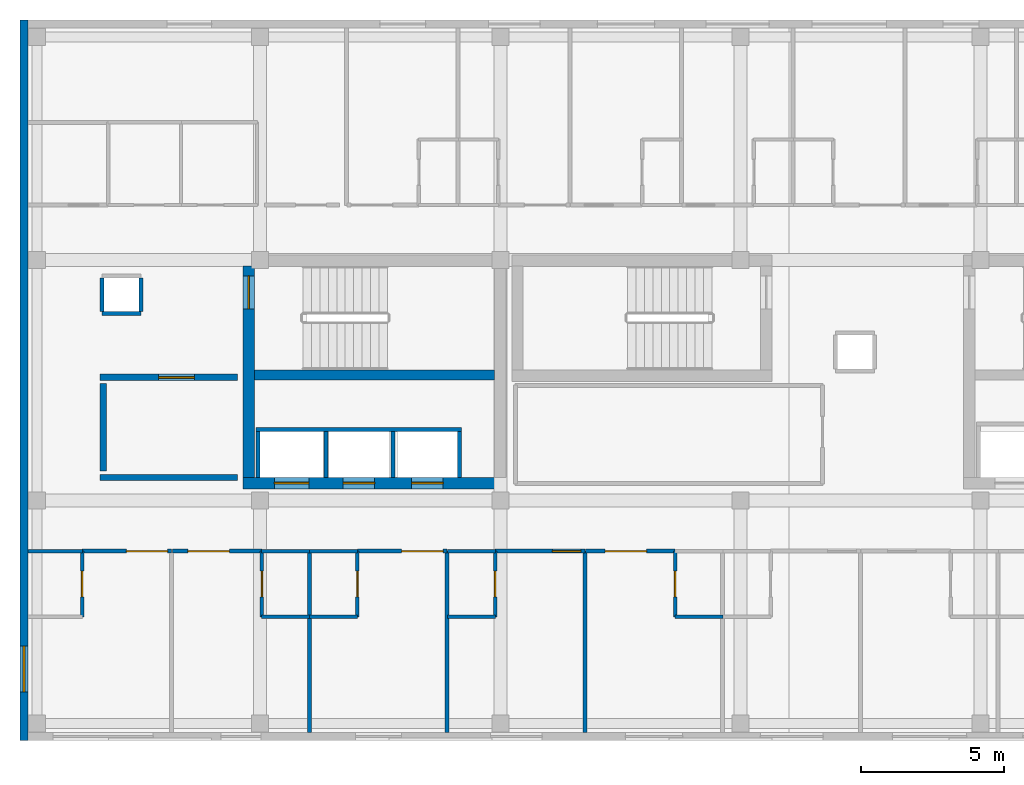
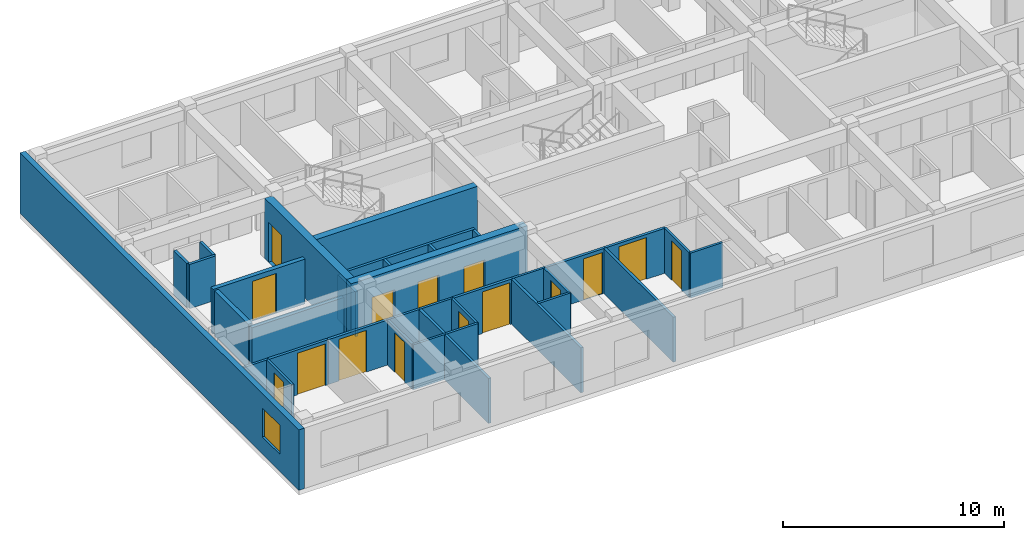
# One storey, part 2 of 9: 36 walls, 15 doors, 1 window, 16 openings.
"""IFC4 building model written with IfcOpenShell, lengths in metres."""

from ifc_helpers import new_model, si_unit, direction, frame, frame_2d, origin, place, context, subcontext, project, spatial, rectangle, extrude, material, layer, layer_set, type_object, element, fill, save


model = new_model("IFC4")

# Units and contexts
model_context = context("Model", 3, precision=1e-05, world=origin(), true_north=direction((0.0, 1.0)))
body_context = subcontext(model_context, "Body", "Model", "MODEL_VIEW")
ifc_project = project(units=[si_unit("LENGTHUNIT", "METRE"), si_unit("AREAUNIT", "SQUARE_METRE"), si_unit("VOLUMEUNIT", "CUBIC_METRE"), si_unit("PLANEANGLEUNIT", "RADIAN"), si_unit("MASSUNIT", "GRAM", prefix="KILO")], contexts=[model_context])

# Site, building, storey
site_placement = place(None, origin())
site = spatial("IfcSite", under=ifc_project, at=site_placement, CompositionType="ELEMENT")
building_placement = place(site_placement, origin())
building = spatial("IfcBuilding", under=site, at=building_placement, Name="Zayran Congress Hotel", CompositionType="ELEMENT")
storey_placement = place(building_placement, frame((0.0, 0.0, 37.199951171875)))
storey = spatial("IfcBuildingStorey", under=building, at=storey_placement, Name="L09", CompositionType="ELEMENT", Elevation=37.199951171875)

# Wall, opening, window
ifc_material_1 = material(Name="Hajar Ma'ani limestone cavity wall and concrete C32/40", Category="masonry")
ifc_layer_1 = layer(ifc_material_1, 0.280029296875)
ifc_layer_set_1 = layer_set([ifc_layer_1], Name="Hajar Ma'ani limestone cavity wall and concrete C32/40")
wall_type_1 = type_object("IfcWallType", Name="WL-EX-280", PredefinedType="SOLIDWALL", material=ifc_layer_set_1)
wall_1_placement = place(storey_placement, frame((16.93994140625, 8.800048828125, 0.0), z_axis=(0.0, 0.0, 1.0), x_axis=(0.0, 1.0, 0.0)))
wall_1 = element("IfcWall", 1, at=wall_1_placement, inside=storey, type_object=wall_type_1, Name="EW-V5-W-L09", PredefinedType="SOLIDWALL", context=body_context, shape_type="SweptSolid", body=[
    extrude(rectangle(XDim=25.199951171875, YDim=0.280029296875, at=frame_2d((12.60009765625, 0.0))), origin(), (0.0, 0.0, 1.0), 3.340087890625),
])
opening_1_placement = place(wall_1_placement, frame((1.699951171875, 0.0, 0.949951171875)))
opening_1 = element("IfcOpeningElement", 2, at=opening_1_placement, cuts=wall_1, Name="Opening WN-15", PredefinedType="OPENING", context=body_context, shape_type="SweptSolid", body=[
    extrude(rectangle(XDim=1.60009765625, YDim=1.60009765625, at=frame_2d((0.800048828125, 0.800048828125))), frame((0.0, 0.14990234375, 0.0), z_axis=(0.0, -1.0, 0.0), x_axis=(1.0, 0.0, 0.0)), (0.0, 0.0, 1.0), 0.300048828125),
])
ifc_material_2 = material(Name="Anodised aluminium and low-E insulated glass", Category="aluminium")
window_type = type_object("IfcWindowType", Name="TP-WN-15", PartitioningType="SINGLE_PANEL", PredefinedType="WINDOW", material=ifc_material_2)
window_placement = place(opening_1_placement, origin())
window = element("IfcWindow", 3, at=window_placement, inside=storey, type_object=window_type, Name="WIN-V5W-L09", OverallHeight=1.60009765625, OverallWidth=1.60009765625, PartitioningType="SINGLE_PANEL", PredefinedType="WINDOW", context=body_context, shape_type="SweptSolid", body=[
    extrude(rectangle(XDim=1.60009765625, YDim=1.60009765625, at=frame_2d((0.800048828125, 0.800048828125))), frame((0.0, 0.030029296875, 0.0), z_axis=(0.0, -1.0, 0.0), x_axis=(1.0, 0.0, 0.0)), (0.0, 0.0, 1.0), 0.06005859375),
])
fill(opening_1, window)

# Wall, openings, doors
ifc_material_3 = material(Name="Concrete C40/50", Category="concrete")
ifc_layer_2 = layer(ifc_material_3, 0.39990234375)
ifc_layer_set_2 = layer_set([ifc_layer_2], Name="Concrete C40/50")
wall_type_2 = type_object("IfcWallType", Name="WL-SH-400", PredefinedType="SHEAR", material=ifc_layer_set_2)
wall_2_placement = place(storey_placement, frame((24.60009765625, 17.800048828125, 0.0), z_axis=(0.0, 0.0, 1.0), x_axis=(1.0, 0.0, 0.0)))
wall_2 = element("IfcWall", 4, at=wall_2_placement, inside=storey, type_object=wall_type_2, Name="CWALL-C-V5W-L09-S", PredefinedType="SHEAR", context=body_context, shape_type="SweptSolid", body=[
    extrude(rectangle(XDim=9.199951171875, YDim=0.39990234375, at=frame_2d((4.60009765625, 0.0))), origin(), (0.0, 0.0, 1.0), 3.320068359375),
])
opening_2_placement = place(wall_2_placement, frame((1.10009765625, 0.0, 0.0)))
opening_2 = element("IfcOpeningElement", 5, at=opening_2_placement, cuts=wall_2, Name="Opening LD-FL01", PredefinedType="OPENING", context=body_context, shape_type="SweptSolid", body=[
    extrude(rectangle(XDim=1.199951171875, YDim=2.199951171875, at=frame_2d((0.60009765625, 1.10009765625))), frame((0.0, 0.2099609375, 0.0), z_axis=(0.0, -1.0, 0.0), x_axis=(1.0, 0.0, 0.0)), (0.0, 0.0, 1.0), 0.419921875),
])
opening_3_placement = place(wall_2_placement, frame((3.5, 0.0, 0.0)))
opening_3 = element("IfcOpeningElement", 6, at=opening_3_placement, cuts=wall_2, Name="Opening LD-PL01", PredefinedType="OPENING", context=body_context, shape_type="SweptSolid", body=[
    extrude(rectangle(XDim=1.10009765625, YDim=2.199951171875, at=frame_2d((0.550048828125, 1.10009765625))), frame((0.0, 0.2099609375, 0.0), z_axis=(0.0, -1.0, 0.0), x_axis=(1.0, 0.0, 0.0)), (0.0, 0.0, 1.0), 0.419921875),
])
opening_4_placement = place(wall_2_placement, frame((5.89990234375, 0.0, 0.0)))
opening_4 = element("IfcOpeningElement", 7, at=opening_4_placement, cuts=wall_2, Name="Opening LD-PL02", PredefinedType="OPENING", context=body_context, shape_type="SweptSolid", body=[
    extrude(rectangle(XDim=1.10009765625, YDim=2.199951171875, at=frame_2d((0.550048828125, 1.10009765625))), frame((0.0, 0.2099609375, 0.0), z_axis=(0.0, -1.0, 0.0), x_axis=(1.0, 0.0, 0.0)), (0.0, 0.0, 1.0), 0.419921875),
])
ifc_material_4 = material(Name="Brushed stainless steel sliding lift landing door", Category="steel")
door_type_1 = type_object("IfcDoorType", Name="TP-DR-LD-01", OperationType="DOUBLE_DOOR_SLIDING", PredefinedType="DOOR", material=ifc_material_4)
door_1_placement = place(opening_3_placement, origin())
door_1 = element("IfcDoor", 8, at=door_1_placement, inside=storey, type_object=door_type_1, Name="Lift PL-01 Sliding Landing Door L09", OperationType="DOUBLE_DOOR_SLIDING", OverallHeight=2.199951171875, OverallWidth=1.10009765625, PredefinedType="DOOR", context=body_context, shape_type="SweptSolid", body=[
    extrude(rectangle(XDim=1.10009765625, YDim=2.199951171875, at=frame_2d((0.550048828125, 1.10009765625))), frame((0.0, 0.02490234375, 0.0), z_axis=(0.0, -1.0, 0.0), x_axis=(1.0, 0.0, 0.0)), (0.0, 0.0, 1.0), 0.050048828125),
])
fill(opening_3, door_1)
door_2_placement = place(opening_4_placement, origin())
door_2 = element("IfcDoor", 9, at=door_2_placement, inside=storey, type_object=door_type_1, Name="Lift PL-02 Sliding Landing Door L09", OperationType="DOUBLE_DOOR_SLIDING", OverallHeight=2.199951171875, OverallWidth=1.10009765625, PredefinedType="DOOR", context=body_context, shape_type="SweptSolid", body=[
    extrude(rectangle(XDim=1.10009765625, YDim=2.199951171875, at=frame_2d((0.550048828125, 1.10009765625))), frame((0.0, 0.02490234375, 0.0), z_axis=(0.0, -1.0, 0.0), x_axis=(1.0, 0.0, 0.0)), (0.0, 0.0, 1.0), 0.050048828125),
])
fill(opening_4, door_2)
ifc_material_5 = material(Name="Brushed stainless steel firefighting lift landing door", Category="steel")
door_type_2 = type_object("IfcDoorType", Name="TP-DR-LD-02", OperationType="DOUBLE_DOOR_SLIDING", PredefinedType="DOOR", material=ifc_material_5)
door_3_placement = place(opening_2_placement, origin())
door_3 = element("IfcDoor", 10, at=door_3_placement, inside=storey, type_object=door_type_2, Name="Lift FL-01 Sliding Landing Door L09", OperationType="DOUBLE_DOOR_SLIDING", OverallHeight=2.199951171875, OverallWidth=1.199951171875, PredefinedType="DOOR", context=body_context, shape_type="SweptSolid", body=[
    extrude(rectangle(XDim=1.199951171875, YDim=2.199951171875, at=frame_2d((0.60009765625, 1.10009765625))), frame((0.0, 0.02490234375, 0.0), z_axis=(0.0, -1.0, 0.0), x_axis=(1.0, 0.0, 0.0)), (0.0, 0.0, 1.0), 0.050048828125),
])
fill(opening_2, door_3)

# Wall, opening, door
wall_3_placement = place(storey_placement, frame((24.800048828125, 25.39990234375, 0.0), z_axis=(0.0, 0.0, 1.0), x_axis=(0.0, -1.0, 0.0)))
wall_3 = element("IfcWall", 11, at=wall_3_placement, inside=storey, type_object=wall_type_2, Name="CWALL-C-V5W-L09-W", PredefinedType="SHEAR", context=body_context, shape_type="SweptSolid", body=[
    extrude(rectangle(XDim=7.39990234375, YDim=0.39990234375, at=frame_2d((3.699951171875, 0.0))), origin(), (0.0, 0.0, 1.0), 3.320068359375),
])
opening_5_placement = place(wall_3_placement, frame((0.35009765625, 0.0, 0.0)))
opening_5 = element("IfcOpeningElement", 12, at=opening_5_placement, cuts=wall_3, Name="Opening DR-FD-90", PredefinedType="OPENING", context=body_context, shape_type="SweptSolid", body=[
    extrude(rectangle(XDim=1.14990234375, YDim=2.199951171875, at=frame_2d((0.574951171875, 1.10009765625))), frame((0.0, 0.2099609375, 0.0), z_axis=(0.0, -1.0, 0.0), x_axis=(1.0, 0.0, 0.0)), (0.0, 0.0, 1.0), 0.419921875),
])
ifc_material_6 = material(Name="Painted steel fire door assembly", Category="steel")
door_type_3 = type_object("IfcDoorType", Name="TP-DR-FD-90", OperationType="NOTDEFINED", PredefinedType="DOOR", material=ifc_material_6)
door_4_placement = place(opening_5_placement, origin())
door_4 = element("IfcDoor", 13, at=door_4_placement, inside=storey, type_object=door_type_3, Name="ST-01 Exit Stair Door L09", OperationType="SINGLE_SWING_LEFT", OverallHeight=2.199951171875, OverallWidth=1.14990234375, PredefinedType="DOOR", context=body_context, shape_type="SweptSolid", body=[
    extrude(rectangle(XDim=1.14990234375, YDim=2.199951171875, at=frame_2d((0.574951171875, 1.10009765625))), frame((0.0, 0.02490234375, 0.0), z_axis=(0.0, -1.0, 0.0), x_axis=(1.0, 0.0, 0.0)), (0.0, 0.0, 1.0), 0.050048828125),
])
fill(opening_5, door_4)

# Walls
ifc_layer_3 = layer(ifc_material_3, 0.35009765625)
ifc_layer_set_3 = layer_set([ifc_layer_3], Name="Concrete C40/50")
wall_type_3 = type_object("IfcWallType", Name="WL-SH-350", PredefinedType="SHEAR", material=ifc_layer_set_3)
wall_4_placement = place(storey_placement, frame((25.0, 21.5849609375, 0.0), z_axis=(0.0, 0.0, 1.0), x_axis=(1.0, 0.0, 0.0)))
element("IfcWall", 14, at=wall_4_placement, inside=storey, type_object=wall_type_3, Name="CWALL-C-V5W-L09-SPN", PredefinedType="SHEAR", context=body_context, shape_type="SweptSolid", body=[
    extrude(rectangle(XDim=8.39990234375, YDim=0.35009765625, at=frame_2d((4.199951171875, 0.0))), origin(), (0.0, 0.0, 1.0), 3.320068359375),
])
ifc_material_7 = material(Name="Concrete C32/40 fire wall", Category="concrete")
ifc_layer_4 = layer(ifc_material_7, 0.219970703125)
ifc_layer_set_4 = layer_set([ifc_layer_4], Name="Concrete C32/40 fire wall")
wall_type_4 = type_object("IfcWallType", Name="WL-FF-220", PredefinedType="SOLIDWALL", material=ifc_layer_set_4)
wall_5_placement = place(storey_placement, frame((19.60009765625, 18.0, 0.0), z_axis=(0.0, 0.0, 1.0), x_axis=(1.0, 0.0, 0.0)))
element("IfcWall", 15, at=wall_5_placement, inside=storey, type_object=wall_type_4, Name="FFWL-C-V5W-L09-S", PredefinedType="SOLIDWALL", context=body_context, shape_type="SweptSolid", body=[
    extrude(rectangle(XDim=4.7998046875, YDim=0.219970703125, at=frame_2d((2.39990234375, 0.0))), origin(), (0.0, 0.0, 1.0), 2.469970703125),
])

# Wall, opening, door
wall_6_placement = place(storey_placement, frame((19.60009765625, 21.5, 0.0), z_axis=(0.0, 0.0, 1.0), x_axis=(1.0, 0.0, 0.0)))
wall_6 = element("IfcWall", 16, at=wall_6_placement, inside=storey, type_object=wall_type_4, Name="FFWL-C-V5W-L09-N", PredefinedType="SOLIDWALL", context=body_context, shape_type="SweptSolid", body=[
    extrude(rectangle(XDim=4.7998046875, YDim=0.219970703125, at=frame_2d((2.39990234375, 0.0))), origin(), (0.0, 0.0, 1.0), 2.469970703125),
])
opening_6_placement = place(wall_6_placement, frame((2.050048828125, 0.0, 0.0)))
opening_6 = element("IfcOpeningElement", 17, at=opening_6_placement, cuts=wall_6, Name="Opening DR-FF-60", PredefinedType="OPENING", context=body_context, shape_type="SweptSolid", body=[
    extrude(rectangle(XDim=1.25, YDim=2.199951171875, at=frame_2d((0.625, 1.10009765625))), frame((0.0, 0.119873046875, 0.0), z_axis=(0.0, -1.0, 0.0), x_axis=(1.0, 0.0, 0.0)), (0.0, 0.0, 1.0), 0.239990234375),
])
ifc_material_8 = material(Name="Painted steel smoke-seal fire door", Category="steel")
door_type_4 = type_object("IfcDoorType", Name="TP-DR-FF-60", OperationType="NOTDEFINED", PredefinedType="DOOR", material=ifc_material_8)
door_5_placement = place(opening_6_placement, origin())
door_5 = element("IfcDoor", 18, at=door_5_placement, inside=storey, type_object=door_type_4, Name="Firefighting Lift Lobby Door C-V5W L09", OperationType="SINGLE_SWING_RIGHT", OverallHeight=2.199951171875, OverallWidth=1.25, PredefinedType="DOOR", context=body_context, shape_type="SweptSolid", body=[
    extrude(rectangle(XDim=1.25, YDim=2.199951171875, at=frame_2d((0.625, 1.10009765625))), frame((0.0, 0.02490234375, 0.0), z_axis=(0.0, -1.0, 0.0), x_axis=(1.0, 0.0, 0.0)), (0.0, 0.0, 1.0), 0.050048828125),
])
fill(opening_6, door_5)

# Walls
wall_7_placement = place(storey_placement, frame((19.7099609375, 18.219970703125, 0.0), z_axis=(0.0, 0.0, 1.0), x_axis=(0.0, 1.0, 0.0)))
element("IfcWall", 19, at=wall_7_placement, inside=storey, type_object=wall_type_4, Name="FFWL-C-V5W-L09-SD", PredefinedType="SOLIDWALL", context=body_context, shape_type="SweptSolid", body=[
    extrude(rectangle(XDim=3.06005859375, YDim=0.219970703125, at=frame_2d((1.530029296875, 0.0))), origin(), (0.0, 0.0, 1.0), 2.469970703125),
])
ifc_material_9 = material(Name="Hospitality guestroom acoustic partition", Category="gypsum")
ifc_layer_5 = layer(ifc_material_9, 0.139892578125)
ifc_layer_set_5 = layer_set([ifc_layer_5], Name="Hospitality guestroom acoustic partition")
wall_type_5 = type_object("IfcWallType", Name="WL-PT-140", PredefinedType="PARTITIONING", material=ifc_layer_set_5)
for number, where, z_axis, x_axis, name in (
    (20, (25.1298828125, 18.0, 0.0), (0.0, 0.0, 1.0), (0.0, 1.0, 0.0), "LSHW-C-V5W-L09-W"),
    (21, (27.5, 18.0, 0.0), (0.0, 0.0, 1.0), (0.0, 1.0, 0.0), "LSHW-C-V5W-L09-DIV1"),
    (22, (29.85009765625, 18.0, 0.0), (0.0, 0.0, 1.0), (0.0, 1.0, 0.0), "LSHW-C-V5W-L09-DIV2"),
    (23, (32.169921875, 18.0, 0.0), (0.0, 0.0, 1.0), (0.0, 1.0, 0.0), "LSHW-C-V5W-L09-E"),
):
    element("IfcWall", number, at=place(storey_placement, frame(where, z_axis=z_axis, x_axis=x_axis)), inside=storey, type_object=wall_type_5, Name=name, PredefinedType="PARTITIONING", context=body_context, shape_type="SweptSolid", body=[
        extrude(rectangle(XDim=1.60009765625, YDim=0.139892578125, at=frame_2d((0.800048828125, 0.0))), origin(), (0.0, 0.0, 1.0), 2.469970703125),
    ])
wall_8_placement = place(storey_placement, frame((25.06005859375, 19.669921875, 0.0), z_axis=(0.0, 0.0, 1.0), x_axis=(1.0, 0.0, 0.0)))
element("IfcWall", 24, at=wall_8_placement, inside=storey, type_object=wall_type_5, Name="LSHW-C-V5W-L09-N", PredefinedType="PARTITIONING", context=body_context, shape_type="SweptSolid", body=[
    extrude(rectangle(XDim=7.179931640625, YDim=0.139892578125, at=frame_2d((3.58984375, 0.0))), origin(), (0.0, 0.0, 1.0), 2.469970703125),
])

# Wall, opening, door
wall_9_placement = place(storey_placement, frame((18.969970703125, 15.419921875, 0.0), z_axis=(0.0, 0.0, 1.0), x_axis=(1.0, 0.0, 0.0)))
wall_9 = element("IfcWall", 25, at=wall_9_placement, inside=storey, type_object=wall_type_5, Name="IW-L09-0786", PredefinedType="PARTITIONING", context=body_context, shape_type="SweptSolid", body=[
    extrude(rectangle(XDim=3.136962890625, YDim=0.139892578125, at=frame_2d((1.568359375, 0.0))), origin(), (0.0, 0.0, 1.0), 2.47998046875),
])
opening_7_placement = place(wall_9_placement, frame((1.547119140625, 0.0, 0.0)))
opening_7 = element("IfcOpeningElement", 26, at=opening_7_placement, cuts=wall_9, Name="Opening DR-ST-01", PredefinedType="OPENING", context=body_context, shape_type="SweptSolid", body=[
    extrude(rectangle(XDim=1.449951171875, YDim=2.300048828125, at=frame_2d((0.72509765625, 1.14990234375))), frame((0.0, 0.079833984375, 0.0), z_axis=(0.0, -1.0, 0.0), x_axis=(1.0, 0.0, 0.0)), (0.0, 0.0, 1.0), 0.159912109375),
])
ifc_material_10 = material(Name="Double walnut veneer suite entry door", Category="wood")
door_type_5 = type_object("IfcDoorType", Name="TP-DR-ST-01", OperationType="DOUBLE_DOOR_SINGLE_SWING", PredefinedType="DOOR", material=ifc_material_10)
door_6_placement = place(opening_7_placement, origin())
door_6 = element("IfcDoor", 27, at=door_6_placement, inside=storey, type_object=door_type_5, Name="Executive Suite L09-01 Door", OperationType="DOUBLE_DOOR_SINGLE_SWING", OverallHeight=2.300048828125, OverallWidth=1.449951171875, PredefinedType="DOOR", context=body_context, shape_type="SweptSolid", body=[
    extrude(rectangle(XDim=1.449951171875, YDim=2.300048828125, at=frame_2d((0.72509765625, 1.14990234375))), frame((0.0, 0.02490234375, 0.0), z_axis=(0.0, -1.0, 0.0), x_axis=(1.0, 0.0, 0.0)), (0.0, 0.0, 1.0), 0.050048828125),
])
fill(opening_7, door_6)

wall_10_placement = place(storey_placement, frame((22.126953125, 15.419921875, 0.0), z_axis=(0.0, 0.0, 1.0), x_axis=(1.0, 0.0, 0.0)))
wall_10 = element("IfcWall", 28, at=wall_10_placement, inside=storey, type_object=wall_type_5, Name="IW-L09-0787", PredefinedType="PARTITIONING", context=body_context, shape_type="SweptSolid", body=[
    extrude(rectangle(XDim=3.135986328125, YDim=0.139892578125, at=frame_2d((1.56787109375, 0.0))), origin(), (0.0, 0.0, 1.0), 2.47998046875),
])
opening_8_placement = place(wall_10_placement, frame((0.5419921875, 0.0, 0.0)))
opening_8 = element("IfcOpeningElement", 29, at=opening_8_placement, cuts=wall_10, Name="Opening DR-ST-01", PredefinedType="OPENING", context=body_context, shape_type="SweptSolid", body=[
    extrude(rectangle(XDim=1.449951171875, YDim=2.300048828125, at=frame_2d((0.72509765625, 1.14990234375))), frame((0.0, 0.079833984375, 0.0), z_axis=(0.0, -1.0, 0.0), x_axis=(1.0, 0.0, 0.0)), (0.0, 0.0, 1.0), 0.159912109375),
])
door_7_placement = place(opening_8_placement, origin())
door_7 = element("IfcDoor", 30, at=door_7_placement, inside=storey, type_object=door_type_5, Name="Executive Suite L09-02 Door", OperationType="DOUBLE_DOOR_SINGLE_SWING", OverallHeight=2.300048828125, OverallWidth=1.449951171875, PredefinedType="DOOR", context=body_context, shape_type="SweptSolid", body=[
    extrude(rectangle(XDim=1.449951171875, YDim=2.300048828125, at=frame_2d((0.72509765625, 1.14990234375))), frame((0.0, 0.02490234375, 0.0), z_axis=(0.0, -1.0, 0.0), x_axis=(1.0, 0.0, 0.0)), (0.0, 0.0, 1.0), 0.050048828125),
])
fill(opening_8, door_7)

wall_11_placement = place(storey_placement, frame((28.60302734375, 15.419921875, 0.0), z_axis=(0.0, 0.0, 1.0), x_axis=(1.0, 0.0, 0.0)))
wall_11 = element("IfcWall", 31, at=wall_11_placement, inside=storey, type_object=wall_type_5, Name="IW-L09-0788", PredefinedType="PARTITIONING", context=body_context, shape_type="SweptSolid", body=[
    extrude(rectangle(XDim=3.136962890625, YDim=0.139892578125, at=frame_2d((1.568359375, 0.0))), origin(), (0.0, 0.0, 1.0), 2.47998046875),
])
opening_9_placement = place(wall_11_placement, frame((1.547119140625, 0.0, 0.0)))
opening_9 = element("IfcOpeningElement", 32, at=opening_9_placement, cuts=wall_11, Name="Opening DR-ST-01", PredefinedType="OPENING", context=body_context, shape_type="SweptSolid", body=[
    extrude(rectangle(XDim=1.449951171875, YDim=2.300048828125, at=frame_2d((0.72509765625, 1.14990234375))), frame((0.0, 0.079833984375, 0.0), z_axis=(0.0, -1.0, 0.0), x_axis=(1.0, 0.0, 0.0)), (0.0, 0.0, 1.0), 0.159912109375),
])
door_8_placement = place(opening_9_placement, origin())
door_8 = element("IfcDoor", 33, at=door_8_placement, inside=storey, type_object=door_type_5, Name="Executive Suite L09-03 Door", OperationType="DOUBLE_DOOR_SINGLE_SWING", OverallHeight=2.300048828125, OverallWidth=1.449951171875, PredefinedType="DOOR", context=body_context, shape_type="SweptSolid", body=[
    extrude(rectangle(XDim=1.449951171875, YDim=2.300048828125, at=frame_2d((0.72509765625, 1.14990234375))), frame((0.0, 0.02490234375, 0.0), z_axis=(0.0, -1.0, 0.0), x_axis=(1.0, 0.0, 0.0)), (0.0, 0.0, 1.0), 0.050048828125),
])
fill(opening_9, door_8)

wall_12_placement = place(storey_placement, frame((33.419921875, 15.419921875, 0.0), z_axis=(0.0, 0.0, 1.0), x_axis=(1.0, 0.0, 0.0)))
wall_12 = element("IfcWall", 34, at=wall_12_placement, inside=storey, type_object=wall_type_5, Name="IW-L09-0789", PredefinedType="PARTITIONING", context=body_context, shape_type="SweptSolid", body=[
    extrude(rectangle(XDim=3.136962890625, YDim=0.139892578125, at=frame_2d((1.568359375, 0.0))), origin(), (0.0, 0.0, 1.0), 2.47998046875),
])
opening_10_placement = place(wall_12_placement, frame((1.9970703125, 0.0, 0.0)))
opening_10 = element("IfcOpeningElement", 35, at=opening_10_placement, cuts=wall_12, Name="Opening DR-GR-04", PredefinedType="OPENING", context=body_context, shape_type="SweptSolid", body=[
    extrude(rectangle(XDim=1.0, YDim=2.280029296875, at=frame_2d((0.5, 1.14013671875))), frame((0.0, 0.079833984375, 0.0), z_axis=(0.0, -1.0, 0.0), x_axis=(1.0, 0.0, 0.0)), (0.0, 0.0, 1.0), 0.159912109375),
])
ifc_material_11 = material(Name="Diplomatic walnut veneer entry door", Category="wood")
door_type_6 = type_object("IfcDoorType", Name="TP-DR-GR-04", OperationType="NOTDEFINED", PredefinedType="DOOR", material=ifc_material_11)
door_9_placement = place(opening_10_placement, origin())
door_9 = element("IfcDoor", 36, at=door_9_placement, inside=storey, type_object=door_type_6, Name="Guest Room L09-04 Door", OperationType="SINGLE_SWING_LEFT", OverallHeight=2.280029296875, OverallWidth=1.0, PredefinedType="DOOR", context=body_context, shape_type="SweptSolid", body=[
    extrude(rectangle(XDim=1.0, YDim=2.280029296875, at=frame_2d((0.5, 1.14013671875))), frame((0.0, 0.02490234375, 0.0), z_axis=(0.0, -1.0, 0.0), x_axis=(1.0, 0.0, 0.0)), (0.0, 0.0, 1.0), 0.050048828125),
])
fill(opening_10, door_9)

wall_13_placement = place(storey_placement, frame((36.576904296875, 15.419921875, 0.0), z_axis=(0.0, 0.0, 1.0), x_axis=(1.0, 0.0, 0.0)))
wall_13 = element("IfcWall", 37, at=wall_13_placement, inside=storey, type_object=wall_type_5, Name="IW-L09-0790", PredefinedType="PARTITIONING", context=body_context, shape_type="SweptSolid", body=[
    extrude(rectangle(XDim=3.135986328125, YDim=0.139892578125, at=frame_2d((1.56787109375, 0.0))), origin(), (0.0, 0.0, 1.0), 2.47998046875),
])
opening_11_placement = place(wall_13_placement, frame((0.69189453125, 0.0, 0.0)))
opening_11 = element("IfcOpeningElement", 38, at=opening_11_placement, cuts=wall_13, Name="Opening DR-ST-01", PredefinedType="OPENING", context=body_context, shape_type="SweptSolid", body=[
    extrude(rectangle(XDim=1.449951171875, YDim=2.300048828125, at=frame_2d((0.72509765625, 1.14990234375))), frame((0.0, 0.079833984375, 0.0), z_axis=(0.0, -1.0, 0.0), x_axis=(1.0, 0.0, 0.0)), (0.0, 0.0, 1.0), 0.159912109375),
])
door_10_placement = place(opening_11_placement, origin())
door_10 = element("IfcDoor", 39, at=door_10_placement, inside=storey, type_object=door_type_5, Name="Junior Suite L09-05 Door", OperationType="DOUBLE_DOOR_SINGLE_SWING", OverallHeight=2.300048828125, OverallWidth=1.449951171875, PredefinedType="DOOR", context=body_context, shape_type="SweptSolid", body=[
    extrude(rectangle(XDim=1.449951171875, YDim=2.300048828125, at=frame_2d((0.72509765625, 1.14990234375))), frame((0.0, 0.02490234375, 0.0), z_axis=(0.0, -1.0, 0.0), x_axis=(1.0, 0.0, 0.0)), (0.0, 0.0, 1.0), 0.050048828125),
])
fill(opening_11, door_10)

# Walls
for number, where, z_axis, x_axis, name in (
    (40, (26.923095703125, 9.080078125, 0.0), (0.0, 0.0, 1.0), (0.0, 1.0, 0.0), "IW-L09-2123"),
    (41, (31.739990234375, 9.080078125, 0.0), (0.0, 0.0, 1.0), (0.0, 1.0, 0.0), "IW-L09-2124"),
    (42, (36.556884765625, 9.080078125, 0.0), (0.0, 0.0, 1.0), (0.0, 1.0, 0.0), "IW-L09-2125"),
):
    element("IfcWall", number, at=place(storey_placement, frame(where, z_axis=z_axis, x_axis=x_axis)), inside=storey, type_object=wall_type_5, Name=name, PredefinedType="PARTITIONING", context=body_context, shape_type="SweptSolid", body=[
        extrude(rectangle(XDim=6.349853515625, YDim=0.139892578125, at=frame_2d((3.1748046875, 0.0))), origin(), (0.0, 0.0, 1.0), 2.47998046875),
    ])
wall_14_placement = place(storey_placement, frame((19.669921875, 23.72998046875, 0.0), z_axis=(0.0, 0.0, 1.0), x_axis=(1.0, 0.0, 0.0)))
element("IfcWall", 43, at=wall_14_placement, inside=storey, type_object=wall_type_5, Name="RSWL-V5-L09-050-S", PredefinedType="PARTITIONING", context=body_context, shape_type="SweptSolid", body=[
    extrude(rectangle(XDim=1.360107421875, YDim=0.139892578125, at=frame_2d((0.68017578125, 0.0))), origin(), (0.0, 0.0, 1.0), 2.43994140625),
])
for number, where, z_axis, x_axis, name in (
    (44, (19.669921875, 24.97998046875, 0.0), (0.0, 0.0, 1.0), (0.0, -1.0, 0.0), "RSWL-V5-L09-050-W"),
    (45, (21.030029296875, 23.800048828125, 0.0), (0.0, 0.0, 1.0), (0.0, 1.0, 0.0), "RSWL-V5-L09-050-E"),
):
    element("IfcWall", number, at=place(storey_placement, frame(where, z_axis=z_axis, x_axis=x_axis)), inside=storey, type_object=wall_type_5, Name=name, PredefinedType="PARTITIONING", context=body_context, shape_type="SweptSolid", body=[
        extrude(rectangle(XDim=1.179931640625, YDim=0.139892578125, at=frame_2d((0.58984375, 0.0))), origin(), (0.0, 0.0, 1.0), 2.43994140625),
    ])

# Wall, opening, door
ifc_material_12 = material(Name="Moisture-resistant bathroom partition", Category="gypsum")
ifc_layer_6 = layer(ifc_material_12, 0.1201171875)
ifc_layer_set_6 = layer_set([ifc_layer_6], Name="Moisture-resistant bathroom partition")
wall_type_6 = type_object("IfcWallType", Name="WL-PT-120", PredefinedType="PARTITIONING", material=ifc_layer_set_6)
wall_15_placement = place(storey_placement, frame((18.969970703125, 13.1201171875, 0.0), z_axis=(0.0, 0.0, 1.0), x_axis=(0.0, 1.0, 0.0)))
wall_15 = element("IfcWall", 46, at=wall_15_placement, inside=storey, type_object=wall_type_6, Name="IW-L09-0271", PredefinedType="PARTITIONING", context=body_context, shape_type="SweptSolid", body=[
    extrude(rectangle(XDim=2.309814453125, YDim=0.1201171875, at=frame_2d((1.15478515625, 0.0))), origin(), (0.0, 0.0, 1.0), 2.47998046875),
])
opening_12_placement = place(wall_15_placement, frame((0.705078125, 0.0, 0.0)))
opening_12 = element("IfcOpeningElement", 47, at=opening_12_placement, cuts=wall_15, Name="Opening DR-BT-03", PredefinedType="OPENING", context=body_context, shape_type="SweptSolid", body=[
    extrude(rectangle(XDim=0.89990234375, YDim=2.179931640625, at=frame_2d((0.449951171875, 1.08984375))), frame((0.0, 0.070068359375, 0.0), z_axis=(0.0, -1.0, 0.0), x_axis=(1.0, 0.0, 0.0)), (0.0, 0.0, 1.0), 0.14013671875),
])
ifc_material_13 = material(Name="Suite oak en-suite bathroom door", Category="wood")
door_type_7 = type_object("IfcDoorType", Name="TP-DR-BT-03", OperationType="NOTDEFINED", PredefinedType="DOOR", material=ifc_material_13)
door_11_placement = place(opening_12_placement, origin())
door_11 = element("IfcDoor", 48, at=door_11_placement, inside=storey, type_object=door_type_7, Name="En-Suite Bathroom L09-01 Door", OperationType="SINGLE_SWING_RIGHT", OverallHeight=2.179931640625, OverallWidth=0.89990234375, PredefinedType="DOOR", context=body_context, shape_type="SweptSolid", body=[
    extrude(rectangle(XDim=0.89990234375, YDim=2.179931640625, at=frame_2d((0.449951171875, 1.08984375))), frame((0.0, 0.02490234375, 0.0), z_axis=(0.0, -1.0, 0.0), x_axis=(1.0, 0.0, 0.0)), (0.0, 0.0, 1.0), 0.050048828125),
])
fill(opening_12, door_11)

wall_16_placement = place(storey_placement, frame((25.262939453125, 13.1201171875, 0.0), z_axis=(0.0, 0.0, 1.0), x_axis=(0.0, 1.0, 0.0)))
wall_16 = element("IfcWall", 49, at=wall_16_placement, inside=storey, type_object=wall_type_6, Name="IW-L09-0272", PredefinedType="PARTITIONING", context=body_context, shape_type="SweptSolid", body=[
    extrude(rectangle(XDim=2.309814453125, YDim=0.1201171875, at=frame_2d((1.15478515625, 0.0))), origin(), (0.0, 0.0, 1.0), 2.47998046875),
])
opening_13_placement = place(wall_16_placement, frame((0.705078125, 0.0, 0.0)))
opening_13 = element("IfcOpeningElement", 50, at=opening_13_placement, cuts=wall_16, Name="Opening DR-BT-03", PredefinedType="OPENING", context=body_context, shape_type="SweptSolid", body=[
    extrude(rectangle(XDim=0.89990234375, YDim=2.179931640625, at=frame_2d((0.449951171875, 1.08984375))), frame((0.0, 0.070068359375, 0.0), z_axis=(0.0, -1.0, 0.0), x_axis=(1.0, 0.0, 0.0)), (0.0, 0.0, 1.0), 0.14013671875),
])
door_12_placement = place(opening_13_placement, origin())
door_12 = element("IfcDoor", 51, at=door_12_placement, inside=storey, type_object=door_type_7, Name="En-Suite Bathroom L09-02 Door", OperationType="SINGLE_SWING_LEFT", OverallHeight=2.179931640625, OverallWidth=0.89990234375, PredefinedType="DOOR", context=body_context, shape_type="SweptSolid", body=[
    extrude(rectangle(XDim=0.89990234375, YDim=2.179931640625, at=frame_2d((0.449951171875, 1.08984375))), frame((0.0, 0.02490234375, 0.0), z_axis=(0.0, -1.0, 0.0), x_axis=(1.0, 0.0, 0.0)), (0.0, 0.0, 1.0), 0.050048828125),
])
fill(opening_13, door_12)

wall_17_placement = place(storey_placement, frame((28.60302734375, 13.1201171875, 0.0), z_axis=(0.0, 0.0, 1.0), x_axis=(0.0, 1.0, 0.0)))
wall_17 = element("IfcWall", 52, at=wall_17_placement, inside=storey, type_object=wall_type_6, Name="IW-L09-0273", PredefinedType="PARTITIONING", context=body_context, shape_type="SweptSolid", body=[
    extrude(rectangle(XDim=2.309814453125, YDim=0.1201171875, at=frame_2d((1.15478515625, 0.0))), origin(), (0.0, 0.0, 1.0), 2.47998046875),
])
opening_14_placement = place(wall_17_placement, frame((0.705078125, 0.0, 0.0)))
opening_14 = element("IfcOpeningElement", 53, at=opening_14_placement, cuts=wall_17, Name="Opening DR-BT-03", PredefinedType="OPENING", context=body_context, shape_type="SweptSolid", body=[
    extrude(rectangle(XDim=0.89990234375, YDim=2.179931640625, at=frame_2d((0.449951171875, 1.08984375))), frame((0.0, 0.070068359375, 0.0), z_axis=(0.0, -1.0, 0.0), x_axis=(1.0, 0.0, 0.0)), (0.0, 0.0, 1.0), 0.14013671875),
])
door_13_placement = place(opening_14_placement, origin())
door_13 = element("IfcDoor", 54, at=door_13_placement, inside=storey, type_object=door_type_7, Name="En-Suite Bathroom L09-03 Door", OperationType="SINGLE_SWING_RIGHT", OverallHeight=2.179931640625, OverallWidth=0.89990234375, PredefinedType="DOOR", context=body_context, shape_type="SweptSolid", body=[
    extrude(rectangle(XDim=0.89990234375, YDim=2.179931640625, at=frame_2d((0.449951171875, 1.08984375))), frame((0.0, 0.02490234375, 0.0), z_axis=(0.0, -1.0, 0.0), x_axis=(1.0, 0.0, 0.0)), (0.0, 0.0, 1.0), 0.050048828125),
])
fill(opening_14, door_13)

wall_18_placement = place(storey_placement, frame((33.419921875, 13.1201171875, 0.0), z_axis=(0.0, 0.0, 1.0), x_axis=(0.0, 1.0, 0.0)))
wall_18 = element("IfcWall", 55, at=wall_18_placement, inside=storey, type_object=wall_type_6, Name="IW-L09-0274", PredefinedType="PARTITIONING", context=body_context, shape_type="SweptSolid", body=[
    extrude(rectangle(XDim=2.309814453125, YDim=0.1201171875, at=frame_2d((1.15478515625, 0.0))), origin(), (0.0, 0.0, 1.0), 2.47998046875),
])
opening_15_placement = place(wall_18_placement, frame((0.705078125, 0.0, 0.0)))
opening_15 = element("IfcOpeningElement", 56, at=opening_15_placement, cuts=wall_18, Name="Opening DR-BT-03", PredefinedType="OPENING", context=body_context, shape_type="SweptSolid", body=[
    extrude(rectangle(XDim=0.89990234375, YDim=2.179931640625, at=frame_2d((0.449951171875, 1.08984375))), frame((0.0, 0.070068359375, 0.0), z_axis=(0.0, -1.0, 0.0), x_axis=(1.0, 0.0, 0.0)), (0.0, 0.0, 1.0), 0.14013671875),
])
door_14_placement = place(opening_15_placement, origin())
door_14 = element("IfcDoor", 57, at=door_14_placement, inside=storey, type_object=door_type_7, Name="En-Suite Bathroom L09-04 Door", OperationType="SINGLE_SWING_LEFT", OverallHeight=2.179931640625, OverallWidth=0.89990234375, PredefinedType="DOOR", context=body_context, shape_type="SweptSolid", body=[
    extrude(rectangle(XDim=0.89990234375, YDim=2.179931640625, at=frame_2d((0.449951171875, 1.08984375))), frame((0.0, 0.02490234375, 0.0), z_axis=(0.0, -1.0, 0.0), x_axis=(1.0, 0.0, 0.0)), (0.0, 0.0, 1.0), 0.050048828125),
])
fill(opening_15, door_14)

wall_19_placement = place(storey_placement, frame((39.712890625, 13.1201171875, 0.0), z_axis=(0.0, 0.0, 1.0), x_axis=(0.0, 1.0, 0.0)))
wall_19 = element("IfcWall", 58, at=wall_19_placement, inside=storey, type_object=wall_type_6, Name="IW-L09-0275", PredefinedType="PARTITIONING", context=body_context, shape_type="SweptSolid", body=[
    extrude(rectangle(XDim=2.309814453125, YDim=0.1201171875, at=frame_2d((1.15478515625, 0.0))), origin(), (0.0, 0.0, 1.0), 2.47998046875),
])
opening_16_placement = place(wall_19_placement, frame((0.705078125, 0.0, 0.0)))
opening_16 = element("IfcOpeningElement", 59, at=opening_16_placement, cuts=wall_19, Name="Opening DR-BT-03", PredefinedType="OPENING", context=body_context, shape_type="SweptSolid", body=[
    extrude(rectangle(XDim=0.89990234375, YDim=2.179931640625, at=frame_2d((0.449951171875, 1.08984375))), frame((0.0, 0.070068359375, 0.0), z_axis=(0.0, -1.0, 0.0), x_axis=(1.0, 0.0, 0.0)), (0.0, 0.0, 1.0), 0.14013671875),
])
door_15_placement = place(opening_16_placement, origin())
door_15 = element("IfcDoor", 60, at=door_15_placement, inside=storey, type_object=door_type_7, Name="En-Suite Bathroom L09-05 Door", OperationType="SINGLE_SWING_RIGHT", OverallHeight=2.179931640625, OverallWidth=0.89990234375, PredefinedType="DOOR", context=body_context, shape_type="SweptSolid", body=[
    extrude(rectangle(XDim=0.89990234375, YDim=2.179931640625, at=frame_2d((0.449951171875, 1.08984375))), frame((0.0, 0.02490234375, 0.0), z_axis=(0.0, -1.0, 0.0), x_axis=(1.0, 0.0, 0.0)), (0.0, 0.0, 1.0), 0.050048828125),
])
fill(opening_16, door_15)

# Walls
wall_20_placement = place(storey_placement, frame((17.080078125, 15.419921875, 0.0), z_axis=(0.0, 0.0, 1.0), x_axis=(1.0, 0.0, 0.0)))
element("IfcWall", 61, at=wall_20_placement, inside=storey, type_object=wall_type_6, Name="IW-L09-1410", PredefinedType="PARTITIONING", context=body_context, shape_type="SweptSolid", body=[
    extrude(rectangle(XDim=1.89990234375, YDim=0.1201171875, at=frame_2d((0.949951171875, 0.0))), origin(), (0.0, 0.0, 1.0), 2.47998046875),
])
for number, where, z_axis, x_axis, name in (
    (62, (25.2529296875, 13.1298828125, 0.0), (0.0, 0.0, 1.0), (1.0, 0.0, 0.0), "IW-L09-1411"),
    (63, (25.2529296875, 15.419921875, 0.0), (0.0, 0.0, 1.0), (1.0, 0.0, 0.0), "IW-L09-1412"),
):
    element("IfcWall", number, at=place(storey_placement, frame(where, z_axis=z_axis, x_axis=x_axis)), inside=storey, type_object=wall_type_6, Name=name, PredefinedType="PARTITIONING", context=body_context, shape_type="SweptSolid", body=[
        extrude(rectangle(XDim=1.68017578125, YDim=0.1201171875, at=frame_2d((0.840087890625, 0.0))), origin(), (0.0, 0.0, 1.0), 2.47998046875),
    ])
for number, where, z_axis, x_axis, name in (
    (64, (26.93310546875, 13.1298828125, 0.0), (0.0, 0.0, 1.0), (1.0, 0.0, 0.0), "IW-L09-1413"),
    (65, (26.93310546875, 15.419921875, 0.0), (0.0, 0.0, 1.0), (1.0, 0.0, 0.0), "IW-L09-1414"),
    (66, (31.75, 13.1298828125, 0.0), (0.0, 0.0, 1.0), (1.0, 0.0, 0.0), "IW-L09-1415"),
    (67, (31.75, 15.419921875, 0.0), (0.0, 0.0, 1.0), (1.0, 0.0, 0.0), "IW-L09-1416"),
):
    element("IfcWall", number, at=place(storey_placement, frame(where, z_axis=z_axis, x_axis=x_axis)), inside=storey, type_object=wall_type_6, Name=name, PredefinedType="PARTITIONING", context=body_context, shape_type="SweptSolid", body=[
        extrude(rectangle(XDim=1.679931640625, YDim=0.1201171875, at=frame_2d((0.83984375, 0.0))), origin(), (0.0, 0.0, 1.0), 2.47998046875),
    ])
wall_21_placement = place(storey_placement, frame((39.702880859375, 13.1298828125, 0.0), z_axis=(0.0, 0.0, 1.0), x_axis=(1.0, 0.0, 0.0)))
element("IfcWall", 68, at=wall_21_placement, inside=storey, type_object=wall_type_6, Name="IW-L09-1417", PredefinedType="PARTITIONING", context=body_context, shape_type="SweptSolid", body=[
    extrude(rectangle(XDim=1.68017578125, YDim=0.1201171875, at=frame_2d((0.840087890625, 0.0))), origin(), (0.0, 0.0, 1.0), 2.47998046875),
])

save(model, "model.ifc")
